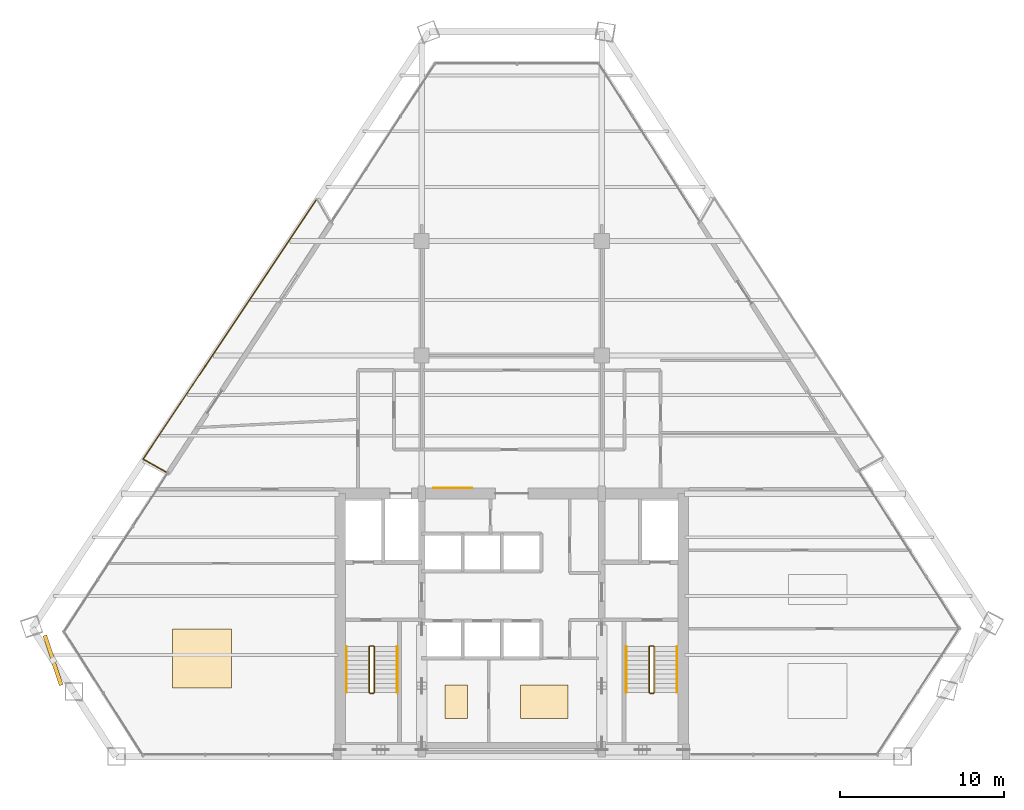
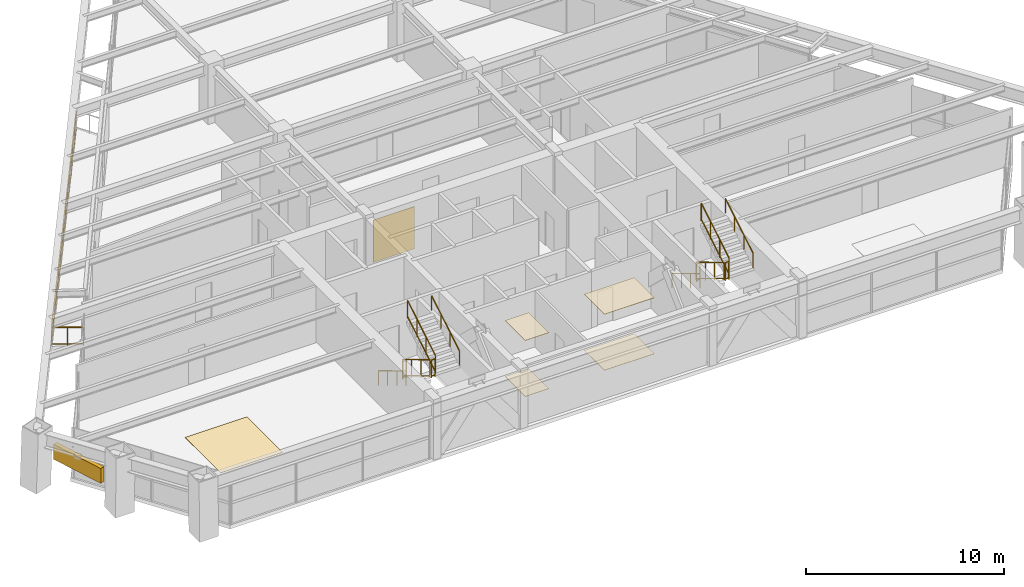
# One storey, part 14 of 15: 14 railings, 6 coverings, 1 shading device.
"""IFC4 building model written with IfcOpenShell, lengths in metres."""

from ifc_helpers import new_model, si_unit, direction, frame, origin, origin_2d, place, context, subcontext, project, spatial, rectangle, extrude, source, transform, mapped, material, layer, layer_set, type_object, type_shapes, element, save


model = new_model("IFC4")

# Units and contexts
model_context = context("Model", 3, precision=1e-05, world=origin(), true_north=direction((0.0, 1.0)))
body_context = subcontext(model_context, "Body", "Model", "MODEL_VIEW")
ifc_project = project(units=[si_unit("LENGTHUNIT", "METRE"), si_unit("AREAUNIT", "SQUARE_METRE"), si_unit("VOLUMEUNIT", "CUBIC_METRE"), si_unit("PLANEANGLEUNIT", "RADIAN"), si_unit("MASSUNIT", "GRAM", prefix="KILO")], contexts=[model_context])

# Site, building, storey
site_placement = place(None, origin())
site = spatial("IfcSite", under=ifc_project, at=site_placement, CompositionType="ELEMENT")
building_placement = place(site_placement, origin())
building = spatial("IfcBuilding", under=site, at=building_placement, Name="Varnakhor Terracotta Tower", CompositionType="ELEMENT")
storey_placement = place(building_placement, frame((0.0, 0.0, 136.699951171875)))
storey = spatial("IfcBuildingStorey", under=building, at=storey_placement, Name="L34", CompositionType="ELEMENT", Elevation=136.699951171875)

# Railings
ifc_material_1 = material(Name="Stainless Steel & Laminated Glass Guardrail", Category="steel")
railing_type_1 = type_object("IfcRailingType", Name="RLG-LOGGIA-GUARD-1150", PredefinedType="GUARDRAIL", material=ifc_material_1)
railing_1_placement = place(storey_placement, frame((-21.1123046875, 17.38427734375, 0.0)))
element("IfcRailing", 1, at=railing_1_placement, inside=storey, type_object=railing_type_1, Name="L34 W Loggia Glass Guard 1", PredefinedType="GUARDRAIL", context=body_context, shape_type="SweptSolid", body=[
    extrude(rectangle(XDim=0.048095703125, YDim=0.048095703125, at=origin_2d()), frame((0.0, 0.0, 1.1259765625), z_axis=(-0.871287817858, 0.490772389659, 0.0), x_axis=(-0.490772389659, -0.871287817858, 0.0)), (0.0, 0.0, 1.0), 1.60986328125),
    extrude(rectangle(XDim=0.048095703125, YDim=0.048095703125, at=origin_2d()), frame((0.0, 0.0, 0.10009765625), z_axis=(-0.871287817858, 0.490772389659, 0.0), x_axis=(-0.490772389659, -0.871287817858, 0.0)), (0.0, 0.0, 1.0), 1.60986328125),
    extrude(rectangle(XDim=0.0419921875, YDim=0.0419921875, at=origin_2d()), origin(), (0.0, 0.0, 1.0), 1.101806640625),
    extrude(rectangle(XDim=0.0419921875, YDim=0.0419921875, at=origin_2d()), frame((-0.701171875, 0.39501953125, 0.0)), (0.0, 0.0, 1.0), 1.101806640625),
    extrude(rectangle(XDim=0.0419921875, YDim=0.0419921875, at=origin_2d()), frame((-1.402587890625, 0.7900390625, 0.0)), (0.0, 0.0, 1.0), 1.101806640625),
])
railing_2_placement = place(storey_placement, frame((-22.514892578125, 18.17431640625, 0.0)))
element("IfcRailing", 2, at=railing_2_placement, inside=storey, type_object=railing_type_1, Name="L34 W Loggia Glass Guard 2", PredefinedType="GUARDRAIL", context=body_context, shape_type="SweptSolid", body=[
    extrude(rectangle(XDim=0.048095703125, YDim=0.048095703125, at=origin_2d()), frame((0.0, 0.0, 1.1259765625), z_axis=(0.555496749289, 0.831518707865, 0.0), x_axis=(-0.831518707865, 0.555496749289, 0.0)), (0.0, 0.0, 1.0), 19.091064453125),
    extrude(rectangle(XDim=0.048095703125, YDim=0.048095703125, at=origin_2d()), frame((0.0, 0.0, 0.10009765625), z_axis=(0.555496749289, 0.831518707865, 0.0), x_axis=(-0.831518707865, 0.555496749289, 0.0)), (0.0, 0.0, 1.0), 19.091064453125),
    extrude(rectangle(XDim=0.0419921875, YDim=0.0419921875, at=origin_2d()), origin(), (0.0, 0.0, 1.0), 1.101806640625),
    extrude(rectangle(XDim=0.0419921875, YDim=0.0419921875, at=origin_2d()), frame((0.757568359375, 1.1337890625, 0.0)), (0.0, 0.0, 1.0), 1.101806640625),
    extrude(rectangle(XDim=0.0419921875, YDim=0.0419921875, at=origin_2d()), frame((1.514892578125, 2.267822265625, 0.0)), (0.0, 0.0, 1.0), 1.101806640625),
    extrude(rectangle(XDim=0.0419921875, YDim=0.0419921875, at=origin_2d()), frame((2.2724609375, 3.401611328125, 0.0)), (0.0, 0.0, 1.0), 1.101806640625),
    extrude(rectangle(XDim=0.0419921875, YDim=0.0419921875, at=origin_2d()), frame((3.030029296875, 4.53564453125, 0.0)), (0.0, 0.0, 1.0), 1.101806640625),
    extrude(rectangle(XDim=0.0419921875, YDim=0.0419921875, at=origin_2d()), frame((3.78759765625, 5.66943359375, 0.0)), (0.0, 0.0, 1.0), 1.101806640625),
    extrude(rectangle(XDim=0.0419921875, YDim=0.0419921875, at=origin_2d()), frame((4.544921875, 6.803466796875, 0.0)), (0.0, 0.0, 1.0), 1.101806640625),
    extrude(rectangle(XDim=0.0419921875, YDim=0.0419921875, at=origin_2d()), frame((5.302490234375, 7.937255859375, 0.0)), (0.0, 0.0, 1.0), 1.101806640625),
    extrude(rectangle(XDim=0.0419921875, YDim=0.0419921875, at=origin_2d()), frame((6.06005859375, 9.071044921875, 0.0)), (0.0, 0.0, 1.0), 1.101806640625),
    extrude(rectangle(XDim=0.0419921875, YDim=0.0419921875, at=origin_2d()), frame((6.8173828125, 10.205078125, 0.0)), (0.0, 0.0, 1.0), 1.101806640625),
    extrude(rectangle(XDim=0.0419921875, YDim=0.0419921875, at=origin_2d()), frame((7.574951171875, 11.3388671875, 0.0)), (0.0, 0.0, 1.0), 1.101806640625),
    extrude(rectangle(XDim=0.0419921875, YDim=0.0419921875, at=origin_2d()), frame((8.33251953125, 12.472900390625, 0.0)), (0.0, 0.0, 1.0), 1.101806640625),
    extrude(rectangle(XDim=0.0419921875, YDim=0.0419921875, at=origin_2d()), frame((9.090087890625, 13.606689453125, 0.0)), (0.0, 0.0, 1.0), 1.101806640625),
    extrude(rectangle(XDim=0.0419921875, YDim=0.0419921875, at=origin_2d()), frame((9.847412109375, 14.74072265625, 0.0)), (0.0, 0.0, 1.0), 1.101806640625),
    extrude(rectangle(XDim=0.0419921875, YDim=0.0419921875, at=origin_2d()), frame((10.60498046875, 15.87451171875, 0.0)), (0.0, 0.0, 1.0), 1.101806640625),
])
ifc_material_2 = material(Name="Painted Steel Stairwell Guardrail", Category="steel")
railing_type_2 = type_object("IfcRailingType", Name="RLG-STAIR-GUARD-1120", PredefinedType="GUARDRAIL", material=ifc_material_2)
railing_3_placement = place(storey_placement, frame((-8.699951171875, 6.7099609375, 0.168212890625)))
element("IfcRailing", 3, at=railing_3_placement, inside=storey, type_object=railing_type_2, Name="L34 ST-1 stair guard 1", PredefinedType="GUARDRAIL", context=body_context, shape_type="SweptSolid", body=[
    extrude(rectangle(XDim=0.048095703125, YDim=0.048095703125, at=origin_2d()), frame((0.0, 0.0, 1.09619140625), z_axis=(0.0, -0.857242210791, 0.514913383045), x_axis=(1.0, 0.0, 0.0)), (0.0, 0.0, 1.0), 3.266357421875),
    extrude(rectangle(XDim=0.048095703125, YDim=0.048095703125, at=origin_2d()), frame((0.0, 0.0, 0.10009765625), z_axis=(0.0, -0.857242210791, 0.514913383045), x_axis=(1.0, 0.0, 0.0)), (0.0, 0.0, 1.0), 3.266357421875),
    extrude(rectangle(XDim=0.0419921875, YDim=0.0419921875, at=origin_2d()), origin(), (0.0, 0.0, 1.0), 1.072021484375),
    extrude(rectangle(XDim=0.0419921875, YDim=0.0419921875, at=origin_2d()), frame((0.0, -0.933349609375, 0.560546875)), (0.0, 0.0, 1.0), 1.072021484375),
    extrude(rectangle(XDim=0.0419921875, YDim=0.0419921875, at=origin_2d()), frame((0.0, -1.86669921875, 1.121337890625)), (0.0, 0.0, 1.0), 1.072021484375),
    extrude(rectangle(XDim=0.0419921875, YDim=0.0419921875, at=origin_2d()), frame((0.0, -2.800048828125, 1.681884765625)), (0.0, 0.0, 1.0), 1.072021484375),
])
railing_4_placement = place(storey_placement, frame((-8.64990234375, 3.860107421875, 1.85009765625)))
element("IfcRailing", 4, at=railing_4_placement, inside=storey, type_object=railing_type_2, Name="L34 ST-1 stair guard 2", PredefinedType="GUARDRAIL", context=body_context, shape_type="SweptSolid", body=[
    extrude(rectangle(XDim=0.048095703125, YDim=0.048095703125, at=origin_2d()), frame((0.0, 0.0, 1.09619140625), z_axis=(1.0, 0.0, 0.0), x_axis=(0.0, 1.0, 0.0)), (0.0, 0.0, 1.0), 0.199951171875),
    extrude(rectangle(XDim=0.048095703125, YDim=0.048095703125, at=origin_2d()), frame((0.0, 0.0, 0.10009765625), z_axis=(1.0, 0.0, 0.0), x_axis=(0.0, 1.0, 0.0)), (0.0, 0.0, 1.0), 0.199951171875),
    extrude(rectangle(XDim=0.0419921875, YDim=0.0419921875, at=origin_2d()), origin(), (0.0, 0.0, 1.0), 1.072021484375),
    extrude(rectangle(XDim=0.0419921875, YDim=0.0419921875, at=origin_2d()), frame((0.199951171875, 0.0, 0.0)), (0.0, 0.0, 1.0), 1.072021484375),
])
railing_5_placement = place(storey_placement, frame((-8.39990234375, 3.909912109375, 2.018310546875)))
element("IfcRailing", 5, at=railing_5_placement, inside=storey, type_object=railing_type_2, Name="L34 ST-1 stair guard 3", PredefinedType="GUARDRAIL", context=body_context, shape_type="SweptSolid", body=[
    extrude(rectangle(XDim=0.048095703125, YDim=0.048095703125, at=origin_2d()), frame((0.0, 0.0, 1.09619140625), z_axis=(0.0, 0.857275202839, 0.514858452973), x_axis=(-1.0, 0.0, 0.0)), (0.0, 0.0, 1.0), 3.26611328125),
    extrude(rectangle(XDim=0.048095703125, YDim=0.048095703125, at=origin_2d()), frame((0.0, 0.0, 0.10009765625), z_axis=(0.0, 0.857275202839, 0.514858452973), x_axis=(-1.0, 0.0, 0.0)), (0.0, 0.0, 1.0), 3.26611328125),
    extrude(rectangle(XDim=0.0419921875, YDim=0.0419921875, at=origin_2d()), origin(), (0.0, 0.0, 1.0), 1.072021484375),
    extrude(rectangle(XDim=0.0419921875, YDim=0.0419921875, at=origin_2d()), frame((0.0, 0.933349609375, 0.560546875)), (0.0, 0.0, 1.0), 1.072021484375),
    extrude(rectangle(XDim=0.0419921875, YDim=0.0419921875, at=origin_2d()), frame((0.0, 1.86669921875, 1.12109375)), (0.0, 0.0, 1.0), 1.072021484375),
    extrude(rectangle(XDim=0.0419921875, YDim=0.0419921875, at=origin_2d()), frame((0.0, 2.800048828125, 1.681640625)), (0.0, 0.0, 1.0), 1.072021484375),
])
railing_6_placement = place(storey_placement, frame((-8.64990234375, 6.760009765625, 0.0)))
element("IfcRailing", 6, at=railing_6_placement, inside=storey, type_object=railing_type_2, Name="L34 ST-1 stair guard 4", PredefinedType="GUARDRAIL", context=body_context, shape_type="SweptSolid", body=[
    extrude(rectangle(XDim=0.048095703125, YDim=0.048095703125, at=origin_2d()), frame((0.0, 0.0, 1.09619140625), z_axis=(1.0, 0.0, 0.0), x_axis=(0.0, 1.0, 0.0)), (0.0, 0.0, 1.0), 0.199951171875),
    extrude(rectangle(XDim=0.048095703125, YDim=0.048095703125, at=origin_2d()), frame((0.0, 0.0, 0.10009765625), z_axis=(1.0, 0.0, 0.0), x_axis=(0.0, 1.0, 0.0)), (0.0, 0.0, 1.0), 0.199951171875),
    extrude(rectangle(XDim=0.0419921875, YDim=0.0419921875, at=origin_2d()), origin(), (0.0, 0.0, 1.0), 1.072021484375),
    extrude(rectangle(XDim=0.0419921875, YDim=0.0419921875, at=origin_2d()), frame((0.199951171875, 0.0, 0.0)), (0.0, 0.0, 1.0), 1.072021484375),
])
railing_7_placement = place(storey_placement, frame((8.39990234375, 6.7099609375, 0.168212890625)))
element("IfcRailing", 7, at=railing_7_placement, inside=storey, type_object=railing_type_2, Name="L34 ST-2 stair guard 1", PredefinedType="GUARDRAIL", context=body_context, shape_type="SweptSolid", body=[
    extrude(rectangle(XDim=0.048095703125, YDim=0.048095703125, at=origin_2d()), frame((0.0, 0.0, 1.09619140625), z_axis=(0.0, -0.857242210791, 0.514913383045), x_axis=(1.0, 0.0, 0.0)), (0.0, 0.0, 1.0), 3.266357421875),
    extrude(rectangle(XDim=0.048095703125, YDim=0.048095703125, at=origin_2d()), frame((0.0, 0.0, 0.10009765625), z_axis=(0.0, -0.857242210791, 0.514913383045), x_axis=(1.0, 0.0, 0.0)), (0.0, 0.0, 1.0), 3.266357421875),
    extrude(rectangle(XDim=0.0419921875, YDim=0.0419921875, at=origin_2d()), origin(), (0.0, 0.0, 1.0), 1.072021484375),
    extrude(rectangle(XDim=0.0419921875, YDim=0.0419921875, at=origin_2d()), frame((0.0, -0.933349609375, 0.560546875)), (0.0, 0.0, 1.0), 1.072021484375),
    extrude(rectangle(XDim=0.0419921875, YDim=0.0419921875, at=origin_2d()), frame((0.0, -1.86669921875, 1.121337890625)), (0.0, 0.0, 1.0), 1.072021484375),
    extrude(rectangle(XDim=0.0419921875, YDim=0.0419921875, at=origin_2d()), frame((0.0, -2.800048828125, 1.681884765625)), (0.0, 0.0, 1.0), 1.072021484375),
])
railing_8_placement = place(storey_placement, frame((8.449951171875, 3.860107421875, 1.85009765625)))
element("IfcRailing", 8, at=railing_8_placement, inside=storey, type_object=railing_type_2, Name="L34 ST-2 stair guard 2", PredefinedType="GUARDRAIL", context=body_context, shape_type="SweptSolid", body=[
    extrude(rectangle(XDim=0.048095703125, YDim=0.048095703125, at=origin_2d()), frame((0.0, 0.0, 1.09619140625), z_axis=(1.0, 0.0, 0.0), x_axis=(0.0, 1.0, 0.0)), (0.0, 0.0, 1.0), 0.199951171875),
    extrude(rectangle(XDim=0.048095703125, YDim=0.048095703125, at=origin_2d()), frame((0.0, 0.0, 0.10009765625), z_axis=(1.0, 0.0, 0.0), x_axis=(0.0, 1.0, 0.0)), (0.0, 0.0, 1.0), 0.199951171875),
    extrude(rectangle(XDim=0.0419921875, YDim=0.0419921875, at=origin_2d()), origin(), (0.0, 0.0, 1.0), 1.072021484375),
    extrude(rectangle(XDim=0.0419921875, YDim=0.0419921875, at=origin_2d()), frame((0.199951171875, 0.0, 0.0)), (0.0, 0.0, 1.0), 1.072021484375),
])
railing_9_placement = place(storey_placement, frame((8.699951171875, 3.909912109375, 2.018310546875)))
element("IfcRailing", 9, at=railing_9_placement, inside=storey, type_object=railing_type_2, Name="L34 ST-2 stair guard 3", PredefinedType="GUARDRAIL", context=body_context, shape_type="SweptSolid", body=[
    extrude(rectangle(XDim=0.048095703125, YDim=0.048095703125, at=origin_2d()), frame((0.0, 0.0, 1.09619140625), z_axis=(0.0, 0.857275202839, 0.514858452973), x_axis=(-1.0, 0.0, 0.0)), (0.0, 0.0, 1.0), 3.26611328125),
    extrude(rectangle(XDim=0.048095703125, YDim=0.048095703125, at=origin_2d()), frame((0.0, 0.0, 0.10009765625), z_axis=(0.0, 0.857275202839, 0.514858452973), x_axis=(-1.0, 0.0, 0.0)), (0.0, 0.0, 1.0), 3.26611328125),
    extrude(rectangle(XDim=0.0419921875, YDim=0.0419921875, at=origin_2d()), origin(), (0.0, 0.0, 1.0), 1.072021484375),
    extrude(rectangle(XDim=0.0419921875, YDim=0.0419921875, at=origin_2d()), frame((0.0, 0.933349609375, 0.560546875)), (0.0, 0.0, 1.0), 1.072021484375),
    extrude(rectangle(XDim=0.0419921875, YDim=0.0419921875, at=origin_2d()), frame((0.0, 1.86669921875, 1.12109375)), (0.0, 0.0, 1.0), 1.072021484375),
    extrude(rectangle(XDim=0.0419921875, YDim=0.0419921875, at=origin_2d()), frame((0.0, 2.800048828125, 1.681640625)), (0.0, 0.0, 1.0), 1.072021484375),
])
railing_10_placement = place(storey_placement, frame((8.449951171875, 6.760009765625, 0.0)))
element("IfcRailing", 10, at=railing_10_placement, inside=storey, type_object=railing_type_2, Name="L34 ST-2 stair guard 4", PredefinedType="GUARDRAIL", context=body_context, shape_type="SweptSolid", body=[
    extrude(rectangle(XDim=0.048095703125, YDim=0.048095703125, at=origin_2d()), frame((0.0, 0.0, 1.09619140625), z_axis=(1.0, 0.0, 0.0), x_axis=(0.0, 1.0, 0.0)), (0.0, 0.0, 1.0), 0.199951171875),
    extrude(rectangle(XDim=0.048095703125, YDim=0.048095703125, at=origin_2d()), frame((0.0, 0.0, 0.10009765625), z_axis=(1.0, 0.0, 0.0), x_axis=(0.0, 1.0, 0.0)), (0.0, 0.0, 1.0), 0.199951171875),
    extrude(rectangle(XDim=0.0419921875, YDim=0.0419921875, at=origin_2d()), origin(), (0.0, 0.0, 1.0), 1.072021484375),
    extrude(rectangle(XDim=0.0419921875, YDim=0.0419921875, at=origin_2d()), frame((0.199951171875, 0.0, 0.0)), (0.0, 0.0, 1.0), 1.072021484375),
])
ifc_material_3 = material(Name="Brushed Stainless Steel Handrail", Category="steel")
railing_type_3 = type_object("IfcRailingType", Name="RLG-STAIR-HANDRAIL-920", PredefinedType="HANDRAIL", material=ifc_material_3)
railing_11_placement = place(storey_placement, frame((-10.10009765625, 6.7099609375, 0.168212890625)))
element("IfcRailing", 11, at=railing_11_placement, inside=storey, type_object=railing_type_3, Name="L34 ST-1 stair handrail 1", PredefinedType="HANDRAIL", context=body_context, shape_type="SweptSolid", body=[
    extrude(rectangle(XDim=0.048095703125, YDim=0.048095703125, at=origin_2d()), frame((0.0, 0.0, 0.89599609375), z_axis=(0.0, -0.857242210791, 0.514913383045), x_axis=(1.0, 0.0, 0.0)), (0.0, 0.0, 1.0), 3.266357421875),
    extrude(rectangle(XDim=0.0419921875, YDim=0.0419921875, at=origin_2d()), origin(), (0.0, 0.0, 1.0), 0.871826171875),
    extrude(rectangle(XDim=0.0419921875, YDim=0.0419921875, at=origin_2d()), frame((0.0, -0.933349609375, 0.560546875)), (0.0, 0.0, 1.0), 0.871826171875),
    extrude(rectangle(XDim=0.0419921875, YDim=0.0419921875, at=origin_2d()), frame((0.0, -1.86669921875, 1.121337890625)), (0.0, 0.0, 1.0), 0.871826171875),
    extrude(rectangle(XDim=0.0419921875, YDim=0.0419921875, at=origin_2d()), frame((0.0, -2.800048828125, 1.681884765625)), (0.0, 0.0, 1.0), 0.871826171875),
])
railing_12_placement = place(storey_placement, frame((-7.0, 3.909912109375, 2.018310546875)))
element("IfcRailing", 12, at=railing_12_placement, inside=storey, type_object=railing_type_3, Name="L34 ST-1 stair handrail 2", PredefinedType="HANDRAIL", context=body_context, shape_type="SweptSolid", body=[
    extrude(rectangle(XDim=0.048095703125, YDim=0.048095703125, at=origin_2d()), frame((0.0, 0.0, 0.89599609375), z_axis=(0.0, 0.857275202839, 0.514858452973), x_axis=(-1.0, 0.0, 0.0)), (0.0, 0.0, 1.0), 3.26611328125),
    extrude(rectangle(XDim=0.0419921875, YDim=0.0419921875, at=origin_2d()), origin(), (0.0, 0.0, 1.0), 0.871826171875),
    extrude(rectangle(XDim=0.0419921875, YDim=0.0419921875, at=origin_2d()), frame((0.0, 0.933349609375, 0.560546875)), (0.0, 0.0, 1.0), 0.871826171875),
    extrude(rectangle(XDim=0.0419921875, YDim=0.0419921875, at=origin_2d()), frame((0.0, 1.86669921875, 1.12109375)), (0.0, 0.0, 1.0), 0.871826171875),
    extrude(rectangle(XDim=0.0419921875, YDim=0.0419921875, at=origin_2d()), frame((0.0, 2.800048828125, 1.681640625)), (0.0, 0.0, 1.0), 0.871826171875),
])
railing_13_placement = place(storey_placement, frame((7.0, 6.7099609375, 0.168212890625)))
element("IfcRailing", 13, at=railing_13_placement, inside=storey, type_object=railing_type_3, Name="L34 ST-2 stair handrail 1", PredefinedType="HANDRAIL", context=body_context, shape_type="SweptSolid", body=[
    extrude(rectangle(XDim=0.048095703125, YDim=0.048095703125, at=origin_2d()), frame((0.0, 0.0, 0.89599609375), z_axis=(0.0, -0.857242210791, 0.514913383045), x_axis=(1.0, 0.0, 0.0)), (0.0, 0.0, 1.0), 3.266357421875),
    extrude(rectangle(XDim=0.0419921875, YDim=0.0419921875, at=origin_2d()), origin(), (0.0, 0.0, 1.0), 0.871826171875),
    extrude(rectangle(XDim=0.0419921875, YDim=0.0419921875, at=origin_2d()), frame((0.0, -0.933349609375, 0.560546875)), (0.0, 0.0, 1.0), 0.871826171875),
    extrude(rectangle(XDim=0.0419921875, YDim=0.0419921875, at=origin_2d()), frame((0.0, -1.86669921875, 1.121337890625)), (0.0, 0.0, 1.0), 0.871826171875),
    extrude(rectangle(XDim=0.0419921875, YDim=0.0419921875, at=origin_2d()), frame((0.0, -2.800048828125, 1.681884765625)), (0.0, 0.0, 1.0), 0.871826171875),
])
railing_14_placement = place(storey_placement, frame((10.10009765625, 3.909912109375, 2.018310546875)))
element("IfcRailing", 14, at=railing_14_placement, inside=storey, type_object=railing_type_3, Name="L34 ST-2 stair handrail 2", PredefinedType="HANDRAIL", context=body_context, shape_type="SweptSolid", body=[
    extrude(rectangle(XDim=0.048095703125, YDim=0.048095703125, at=origin_2d()), frame((0.0, 0.0, 0.89599609375), z_axis=(0.0, 0.857275202839, 0.514858452973), x_axis=(-1.0, 0.0, 0.0)), (0.0, 0.0, 1.0), 3.26611328125),
    extrude(rectangle(XDim=0.0419921875, YDim=0.0419921875, at=origin_2d()), origin(), (0.0, 0.0, 1.0), 0.871826171875),
    extrude(rectangle(XDim=0.0419921875, YDim=0.0419921875, at=origin_2d()), frame((0.0, 0.933349609375, 0.560546875)), (0.0, 0.0, 1.0), 0.871826171875),
    extrude(rectangle(XDim=0.0419921875, YDim=0.0419921875, at=origin_2d()), frame((0.0, 1.86669921875, 1.12109375)), (0.0, 0.0, 1.0), 0.871826171875),
    extrude(rectangle(XDim=0.0419921875, YDim=0.0419921875, at=origin_2d()), frame((0.0, 2.800048828125, 1.681640625)), (0.0, 0.0, 1.0), 0.871826171875),
])

# Shading device
ifc_material_4 = material(Name="Extruded Architectural Terracotta Screen", Category="masonry")
shading_device_type = type_object("IfcShadingDeviceType", Name="TERRACOTTA SOLAR SCREEN W", PredefinedType="USERDEFINED", material=ifc_material_4)
shared_shape_1 = source(origin(), body_context, "Body", "SweptSolid", [
    extrude(rectangle(XDim=3.199951171875, YDim=0.239990234375, at=origin_2d()), origin(), (0.0, 0.0, 1.0), 0.919921875),
])
type_shapes(shading_device_type, [shared_shape_1])
shading_device_placement = place(storey_placement, frame((-28.0224609375, 5.881591796875, 1.710205078125), z_axis=(0.0, 0.0, 1.0), x_axis=(0.311472622712, -0.950255126427, 0.0)))
element("IfcShadingDevice", 15, at=shading_device_placement, inside=storey, type_object=shading_device_type, Name="L34 W Terracotta Solar Screen", ObjectType="SCREEN", PredefinedType="USERDEFINED", context=body_context, shape_type="MappedRepresentation", body=[
    mapped(shared_shape_1, transform((0.0, 0.0, 0.0), scale=1.0)),
])

# Coverings
ifc_material_5 = material(Name="Extruded Architectural Terracotta Cladding", Category="masonry")
ifc_layer_1 = layer(ifc_material_5, 0.044921875, Name="Extruded Architectural Terracotta Cladding")
ifc_layer_set_1 = layer_set([ifc_layer_1], Name="Extruded Architectural Terracotta Cladding")
covering_type_1 = type_object("IfcCoveringType", Name="COV-CLAD-TERRACOTTA", PredefinedType="CLADDING", material=ifc_layer_set_1)
shared_shape_2 = source(origin(), body_context, "Body", "SweptSolid", [
    extrude(rectangle(XDim=2.39990234375, YDim=0.030029296875, at=origin_2d()), origin(), (0.0, 0.0, 1.0), 2.60009765625),
])
type_shapes(covering_type_1, [shared_shape_2])
covering_1_placement = place(storey_placement, frame((-3.60009765625, 16.412109375, 0.0), z_axis=(0.0, 0.0, 1.0), x_axis=(1.0, 0.0, 0.0)))
element("IfcCovering", 16, at=covering_1_placement, inside=storey, type_object=covering_type_1, Name="L34 Core Lobby Limestone Cladding", PredefinedType="CLADDING", context=body_context, shape_type="MappedRepresentation", body=[
    mapped(shared_shape_2, transform((0.0, 0.0, 0.0), scale=1.0)),
])
ifc_material_6 = material(Name="Honed Riyadh Limestone Flooring", Category="masonry")
ifc_layer_2 = layer(ifc_material_6, 0.030029296875, Name="Honed Riyadh Limestone Flooring")
ifc_layer_set_2 = layer_set([ifc_layer_2], Name="Honed Riyadh Limestone Flooring")
covering_type_2 = type_object("IfcCoveringType", Name="COV-FLOOR-LIMESTONE", PredefinedType="FLOORING", material=ifc_layer_set_2)
shared_shape_3 = source(origin(), body_context, "Body", "SweptSolid", [
    extrude(rectangle(XDim=3.60009765625, YDim=3.60009765625, at=origin_2d()), origin(), (0.0, 0.0, 1.0), 0.02001953125),
])
covering_2_placement = place(storey_placement, frame((-18.919921875, 6.001953125, 0.0), z_axis=(0.0, 0.0, 1.0), x_axis=(1.0, 0.0, 0.0)))
element("IfcCovering", 17, at=covering_2_placement, inside=storey, type_object=covering_type_2, Name="L34 Honed Stone Flooring 4", PredefinedType="FLOORING", context=body_context, shape_type="MappedRepresentation", body=[
    mapped(shared_shape_3, transform((0.0, 0.0, 0.0), scale=1.0)),
])
shared_shape_4 = source(origin(), body_context, "Body", "SweptSolid", [
    extrude(rectangle(XDim=1.375, YDim=2.041015625, at=origin_2d()), origin(), (0.0, 0.0, 1.0), 0.02001953125),
])
covering_3_placement = place(storey_placement, frame((-3.389892578125, 3.35498046875, 0.0), z_axis=(0.0, 0.0, 1.0), x_axis=(1.0, 0.0, 0.0)))
element("IfcCovering", 18, at=covering_3_placement, inside=storey, type_object=covering_type_2, Name="L34 Honed Stone Flooring 1", PredefinedType="FLOORING", context=body_context, shape_type="MappedRepresentation", body=[
    mapped(shared_shape_4, transform((0.0, 0.0, 0.0), scale=1.0)),
])
ifc_material_7 = material(Name="Perforated Acoustic Mineral-Fibre Ceiling", Category="gypsum")
ifc_layer_3 = layer(ifc_material_7, 0.02490234375, Name="Perforated Acoustic Mineral-Fibre Ceiling")
ifc_layer_set_3 = layer_set([ifc_layer_3], Name="Perforated Acoustic Mineral-Fibre Ceiling")
covering_type_3 = type_object("IfcCoveringType", Name="COV-CEILING-ACOUSTIC", PredefinedType="CEILING", material=ifc_layer_set_3)
shared_shape_5 = source(origin(), body_context, "Body", "SweptSolid", [
    extrude(rectangle(XDim=1.375, YDim=2.041015625, at=origin_2d()), origin(), (0.0, 0.0, 1.0), 0.02392578125),
])
covering_4_placement = place(storey_placement, frame((-3.389892578125, 3.35498046875, 3.446044921875), z_axis=(0.0, 0.0, 1.0), x_axis=(1.0, 0.0, 0.0)))
element("IfcCovering", 19, at=covering_4_placement, inside=storey, type_object=covering_type_3, Name="L34 Acoustic Ceiling Panel 1", PredefinedType="CEILING", context=body_context, shape_type="MappedRepresentation", body=[
    mapped(shared_shape_5, transform((0.0, 0.0, 0.0), scale=1.0)),
])
shared_shape_6 = source(origin(), body_context, "Body", "SweptSolid", [
    extrude(rectangle(XDim=2.9150390625, YDim=2.041015625, at=origin_2d()), origin(), (0.0, 0.0, 1.0), 0.02001953125),
])
covering_5_placement = place(storey_placement, frame((1.989990234375, 3.35498046875, 0.0), z_axis=(0.0, 0.0, 1.0), x_axis=(1.0, 0.0, 0.0)))
element("IfcCovering", 20, at=covering_5_placement, inside=storey, type_object=covering_type_2, Name="L34 Honed Stone Flooring 2", PredefinedType="FLOORING", context=body_context, shape_type="MappedRepresentation", body=[
    mapped(shared_shape_6, transform((0.0, 0.0, 0.0), scale=1.0)),
])
shared_shape_7 = source(origin(), body_context, "Body", "SweptSolid", [
    extrude(rectangle(XDim=2.9150390625, YDim=2.041015625, at=origin_2d()), origin(), (0.0, 0.0, 1.0), 0.02392578125),
])
covering_6_placement = place(storey_placement, frame((1.989990234375, 3.35498046875, 3.446044921875), z_axis=(0.0, 0.0, 1.0), x_axis=(1.0, 0.0, 0.0)))
element("IfcCovering", 21, at=covering_6_placement, inside=storey, type_object=covering_type_3, Name="L34 Acoustic Ceiling Panel 2", PredefinedType="CEILING", context=body_context, shape_type="MappedRepresentation", body=[
    mapped(shared_shape_7, transform((0.0, 0.0, 0.0), scale=1.0)),
])

save(model, "model.ifc")
